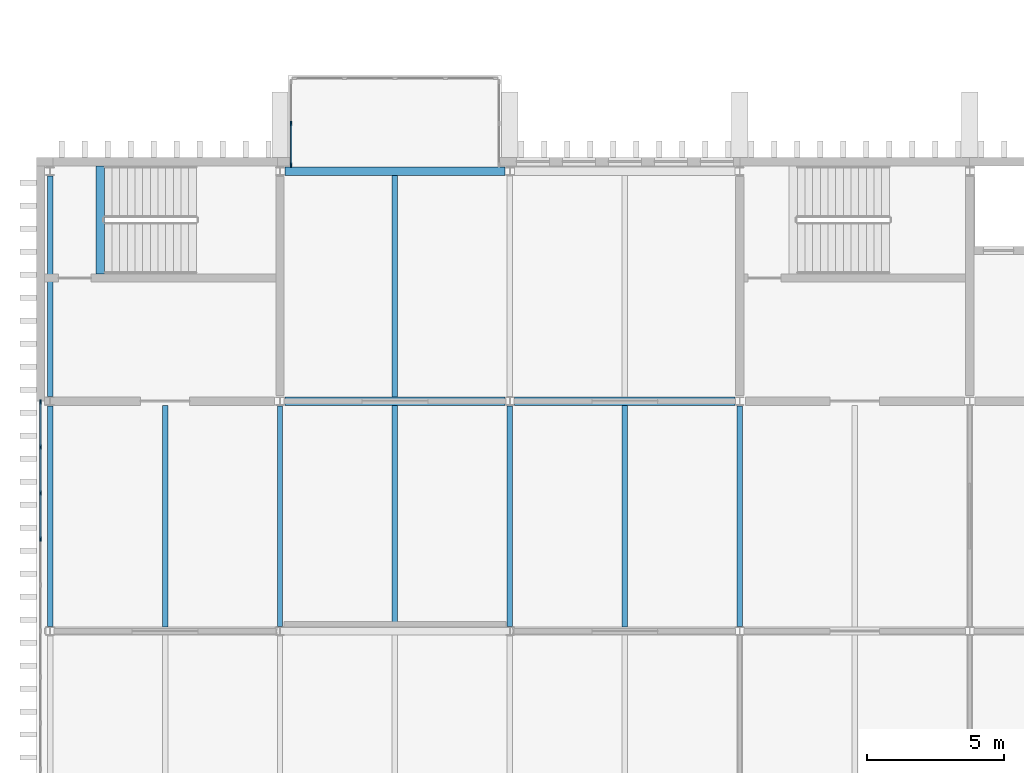
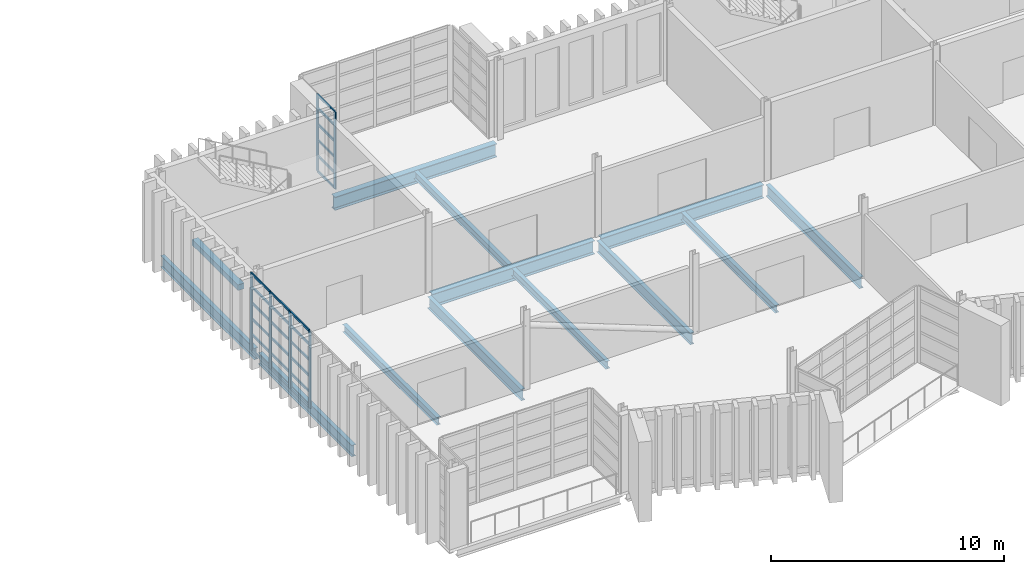
# One storey, part 14 of 100: 30 members, 13 beams, 2 elements without a shape of their own.
"""IFC4 building model written with IfcOpenShell, lengths in metres."""

from ifc_helpers import new_model, si_unit, direction, frame, origin, origin_2d, place, context, subcontext, project, spatial, rectangle, i_section, extrude, material, layer, layer_set, material_profile, profile_set, type_object, element, aggregate, save


model = new_model("IFC4")

# Units and contexts
model_context = context("Model", 3, precision=1e-05, world=origin(), true_north=direction((0.0, 1.0)))
body_context = subcontext(model_context, "Body", "Model", "MODEL_VIEW")
ifc_project = project(units=[si_unit("LENGTHUNIT", "METRE"), si_unit("AREAUNIT", "SQUARE_METRE"), si_unit("VOLUMEUNIT", "CUBIC_METRE"), si_unit("PLANEANGLEUNIT", "RADIAN"), si_unit("MASSUNIT", "GRAM", prefix="KILO")], contexts=[model_context])

# Site, building, storey
site_placement = place(None, origin())
site = spatial("IfcSite", under=ifc_project, at=site_placement, CompositionType="ELEMENT")
building_placement = place(site_placement, origin())
building = spatial("IfcBuilding", under=site, at=building_placement, Name="Cresset Court Congress Hotel", CompositionType="ELEMENT")
storey_placement = place(building_placement, frame((0.0, 0.0, 10.199951171875)))
storey = spatial("IfcBuildingStorey", under=building, at=storey_placement, Name="L02", CompositionType="ELEMENT", Elevation=10.199951171875)

# Curtain wall, members
ifc_material_1 = material(Name="Aluminium frame with double glazing", Category="aluminium")
ifc_layer = layer(ifc_material_1, 0.199951171875)
ifc_layer_set = layer_set([ifc_layer], Name="Glazed box curtain wall 1680 module")
curtain_wall_type = type_object("IfcCurtainWallType", Name="Glazed box curtain wall 1680 module", PredefinedType="NOTDEFINED", material=ifc_layer_set)
curtain_wall_1_placement = place(storey_placement, origin())
curtain_wall_1 = element("IfcCurtainWall", 1, at=curtain_wall_1_placement, inside=storey, type_object=curtain_wall_type, Name="Glazed box N0224 side", PredefinedType="NOTDEFINED")
ifc_material_2 = material(Name="Aluminium", Category="aluminium")
ifc_material_profile_1 = material_profile(ifc_material_2, rectangle(XDim=0.06005859375, YDim=0.159912109375, at=origin_2d()), Name="Box mullion 60x160")
ifc_profile_set_1 = profile_set([ifc_material_profile_1], Name="Aluminium")
member_type_1 = type_object("IfcMemberType", Name="Box mullion 60x160", PredefinedType="MULLION", material=ifc_profile_set_1)
member_1_placement = place(storey_placement, frame((17.199951171875, 25.429931640625, 0.0), z_axis=(0.0, 0.0, 1.0), x_axis=(-1.0, 0.0, 0.0)))
member_1 = element("IfcMember", 2, at=member_1_placement, type_object=member_type_1, Name="B-X1 mullion 1", PredefinedType="MULLION", context=body_context, shape_type="SweptSolid", body=[
    extrude(rectangle(XDim=0.06005859375, YDim=0.159912109375, at=origin_2d()), origin(), (0.0, 0.0, 1.0), 4.050048828125),
])
member_2_placement = place(storey_placement, frame((17.199951171875, 26.949951171875, 0.0), z_axis=(0.0, 0.0, 1.0), x_axis=(-1.0, 0.0, 0.0)))
member_2 = element("IfcMember", 3, at=member_2_placement, type_object=member_type_1, Name="B-X1 mullion 2", PredefinedType="MULLION", context=body_context, shape_type="SweptSolid", body=[
    extrude(rectangle(XDim=0.06005859375, YDim=0.159912109375, at=origin_2d()), origin(), (0.0, 0.0, 1.0), 4.050048828125),
])

curtain_wall_2_placement = place(storey_placement, origin())
curtain_wall_2 = element("IfcCurtainWall", 4, at=curtain_wall_2_placement, inside=storey, type_object=curtain_wall_type, Name="Foyer glazed front L02", PredefinedType="NOTDEFINED")
member_3_placement = place(storey_placement, frame((8.050048828125, 11.760009765625, 0.0), z_axis=(0.0, 0.0, 1.0), x_axis=(-1.0, 0.0, 0.0)))
member_3 = element("IfcMember", 5, at=member_3_placement, type_object=member_type_1, Name="B-X1 mullion 8", PredefinedType="MULLION", context=body_context, shape_type="SweptSolid", body=[
    extrude(rectangle(XDim=0.06005859375, YDim=0.159912109375, at=origin_2d()), origin(), (0.0, 0.0, 1.0), 4.050048828125),
])
member_4_placement = place(storey_placement, frame((8.050048828125, 13.43994140625, 0.0), z_axis=(0.0, 0.0, 1.0), x_axis=(-1.0, 0.0, 0.0)))
member_4 = element("IfcMember", 6, at=member_4_placement, type_object=member_type_1, Name="B-X1 mullion 9", PredefinedType="MULLION", context=body_context, shape_type="SweptSolid", body=[
    extrude(rectangle(XDim=0.06005859375, YDim=0.159912109375, at=origin_2d()), origin(), (0.0, 0.0, 1.0), 4.050048828125),
])
member_5_placement = place(storey_placement, frame((8.050048828125, 15.1201171875, 0.0), z_axis=(0.0, 0.0, 1.0), x_axis=(-1.0, 0.0, 0.0)))
member_5 = element("IfcMember", 7, at=member_5_placement, type_object=member_type_1, Name="B-X1 mullion 10", PredefinedType="MULLION", context=body_context, shape_type="SweptSolid", body=[
    extrude(rectangle(XDim=0.06005859375, YDim=0.159912109375, at=origin_2d()), origin(), (0.0, 0.0, 1.0), 4.050048828125),
])
member_6_placement = place(storey_placement, frame((8.050048828125, 16.77001953125, 0.0), z_axis=(0.0, 0.0, 1.0), x_axis=(-1.0, 0.0, 0.0)))
member_6 = element("IfcMember", 8, at=member_6_placement, type_object=member_type_1, Name="B-X1 mullion 11", PredefinedType="MULLION", context=body_context, shape_type="SweptSolid", body=[
    extrude(rectangle(XDim=0.06005859375, YDim=0.159912109375, at=origin_2d()), origin(), (0.0, 0.0, 1.0), 4.050048828125),
])

# Member
ifc_material_3 = material(Name="Aluminium", Category="aluminium")
ifc_material_profile_2 = material_profile(ifc_material_3, rectangle(XDim=0.06005859375, YDim=0.1201171875, at=origin_2d()), Name="Box transom 60x120")
ifc_profile_set_2 = profile_set([ifc_material_profile_2], Name="Aluminium")
member_type_2 = type_object("IfcMemberType", Name="Box transom 60x120", PredefinedType="USERDEFINED", material=ifc_profile_set_2)
member_7_placement = place(storey_placement, frame((17.199951171875, 25.4599609375, 0.030029296875), z_axis=(0.0, 1.0, 0.0), x_axis=(-1.0, 0.0, 0.0)))
member_7 = element("IfcMember", 9, at=member_7_placement, type_object=member_type_2, Name="B-X1 transom 1.1", ObjectType="TRANSOM", PredefinedType="USERDEFINED", context=body_context, shape_type="SweptSolid", body=[
    extrude(rectangle(XDim=0.06005859375, YDim=0.1201171875, at=origin_2d()), origin(), (0.0, 0.0, 1.0), 1.4599609375),
])

member_8_placement = place(storey_placement, frame((17.199951171875, 25.4599609375, 0.830078125), z_axis=(0.0, 1.0, 0.0), x_axis=(-1.0, 0.0, 0.0)))
member_8 = element("IfcMember", 10, at=member_8_placement, type_object=member_type_2, Name="B-X1 transom 1.2", ObjectType="TRANSOM", PredefinedType="USERDEFINED", context=body_context, shape_type="SweptSolid", body=[
    extrude(rectangle(XDim=0.06005859375, YDim=0.1201171875, at=origin_2d()), origin(), (0.0, 0.0, 1.0), 1.4599609375),
])

member_9_placement = place(storey_placement, frame((17.199951171875, 25.4599609375, 1.66015625), z_axis=(0.0, 1.0, 0.0), x_axis=(-1.0, 0.0, 0.0)))
member_9 = element("IfcMember", 11, at=member_9_placement, type_object=member_type_2, Name="B-X1 transom 1.3", ObjectType="TRANSOM", PredefinedType="USERDEFINED", context=body_context, shape_type="SweptSolid", body=[
    extrude(rectangle(XDim=0.06005859375, YDim=0.1201171875, at=origin_2d()), origin(), (0.0, 0.0, 1.0), 1.4599609375),
])

member_10_placement = place(storey_placement, frame((17.199951171875, 25.4599609375, 2.489990234375), z_axis=(0.0, 1.0, 0.0), x_axis=(-1.0, 0.0, 0.0)))
member_10 = element("IfcMember", 12, at=member_10_placement, type_object=member_type_2, Name="B-X1 transom 1.4", ObjectType="TRANSOM", PredefinedType="USERDEFINED", context=body_context, shape_type="SweptSolid", body=[
    extrude(rectangle(XDim=0.06005859375, YDim=0.1201171875, at=origin_2d()), origin(), (0.0, 0.0, 1.0), 1.4599609375),
])

member_11_placement = place(storey_placement, frame((17.199951171875, 25.4599609375, 3.320068359375), z_axis=(0.0, 1.0, 0.0), x_axis=(-1.0, 0.0, 0.0)))
member_11 = element("IfcMember", 13, at=member_11_placement, type_object=member_type_2, Name="B-X1 transom 1.5", ObjectType="TRANSOM", PredefinedType="USERDEFINED", context=body_context, shape_type="SweptSolid", body=[
    extrude(rectangle(XDim=0.06005859375, YDim=0.1201171875, at=origin_2d()), origin(), (0.0, 0.0, 1.0), 1.4599609375),
])

member_12_placement = place(storey_placement, frame((17.199951171875, 25.4599609375, 4.02001953125), z_axis=(0.0, 1.0, 0.0), x_axis=(-1.0, 0.0, 0.0)))
member_12 = element("IfcMember", 14, at=member_12_placement, type_object=member_type_2, Name="B-X1 transom 1.6", ObjectType="TRANSOM", PredefinedType="USERDEFINED", context=body_context, shape_type="SweptSolid", body=[
    extrude(rectangle(XDim=0.06005859375, YDim=0.1201171875, at=origin_2d()), origin(), (0.0, 0.0, 1.0), 1.4599609375),
])

aggregate(curtain_wall_1, [member_1, member_2, member_7, member_8, member_9, member_10, member_11, member_12])

member_13_placement = place(storey_placement, frame((8.050048828125, 11.7900390625, 0.030029296875), z_axis=(0.0, 1.0, 0.0), x_axis=(-1.0, 0.0, 0.0)))
member_13 = element("IfcMember", 15, at=member_13_placement, type_object=member_type_2, Name="B-X1 transom 8.1", ObjectType="TRANSOM", PredefinedType="USERDEFINED", context=body_context, shape_type="SweptSolid", body=[
    extrude(rectangle(XDim=0.06005859375, YDim=0.1201171875, at=origin_2d()), origin(), (0.0, 0.0, 1.0), 1.619873046875),
])

member_14_placement = place(storey_placement, frame((8.050048828125, 11.7900390625, 0.830078125), z_axis=(0.0, 1.0, 0.0), x_axis=(-1.0, 0.0, 0.0)))
member_14 = element("IfcMember", 16, at=member_14_placement, type_object=member_type_2, Name="B-X1 transom 8.2", ObjectType="TRANSOM", PredefinedType="USERDEFINED", context=body_context, shape_type="SweptSolid", body=[
    extrude(rectangle(XDim=0.06005859375, YDim=0.1201171875, at=origin_2d()), origin(), (0.0, 0.0, 1.0), 1.619873046875),
])

member_15_placement = place(storey_placement, frame((8.050048828125, 11.7900390625, 1.66015625), z_axis=(0.0, 1.0, 0.0), x_axis=(-1.0, 0.0, 0.0)))
member_15 = element("IfcMember", 17, at=member_15_placement, type_object=member_type_2, Name="B-X1 transom 8.3", ObjectType="TRANSOM", PredefinedType="USERDEFINED", context=body_context, shape_type="SweptSolid", body=[
    extrude(rectangle(XDim=0.06005859375, YDim=0.1201171875, at=origin_2d()), origin(), (0.0, 0.0, 1.0), 1.619873046875),
])

member_16_placement = place(storey_placement, frame((8.050048828125, 11.7900390625, 2.489990234375), z_axis=(0.0, 1.0, 0.0), x_axis=(-1.0, 0.0, 0.0)))
member_16 = element("IfcMember", 18, at=member_16_placement, type_object=member_type_2, Name="B-X1 transom 8.4", ObjectType="TRANSOM", PredefinedType="USERDEFINED", context=body_context, shape_type="SweptSolid", body=[
    extrude(rectangle(XDim=0.06005859375, YDim=0.1201171875, at=origin_2d()), origin(), (0.0, 0.0, 1.0), 1.619873046875),
])

member_17_placement = place(storey_placement, frame((8.050048828125, 11.7900390625, 3.320068359375), z_axis=(0.0, 1.0, 0.0), x_axis=(-1.0, 0.0, 0.0)))
member_17 = element("IfcMember", 19, at=member_17_placement, type_object=member_type_2, Name="B-X1 transom 8.5", ObjectType="TRANSOM", PredefinedType="USERDEFINED", context=body_context, shape_type="SweptSolid", body=[
    extrude(rectangle(XDim=0.06005859375, YDim=0.1201171875, at=origin_2d()), origin(), (0.0, 0.0, 1.0), 1.619873046875),
])

member_18_placement = place(storey_placement, frame((8.050048828125, 11.7900390625, 4.02001953125), z_axis=(0.0, 1.0, 0.0), x_axis=(-1.0, 0.0, 0.0)))
member_18 = element("IfcMember", 20, at=member_18_placement, type_object=member_type_2, Name="B-X1 transom 8.6", ObjectType="TRANSOM", PredefinedType="USERDEFINED", context=body_context, shape_type="SweptSolid", body=[
    extrude(rectangle(XDim=0.06005859375, YDim=0.1201171875, at=origin_2d()), origin(), (0.0, 0.0, 1.0), 1.619873046875),
])

member_19_placement = place(storey_placement, frame((8.050048828125, 13.469970703125, 0.030029296875), z_axis=(0.0, 1.0, 0.0), x_axis=(-1.0, 0.0, 0.0)))
member_19 = element("IfcMember", 21, at=member_19_placement, type_object=member_type_2, Name="B-X1 transom 9.1", ObjectType="TRANSOM", PredefinedType="USERDEFINED", context=body_context, shape_type="SweptSolid", body=[
    extrude(rectangle(XDim=0.06005859375, YDim=0.1201171875, at=origin_2d()), origin(), (0.0, 0.0, 1.0), 1.6201171875),
])

member_20_placement = place(storey_placement, frame((8.050048828125, 13.469970703125, 0.830078125), z_axis=(0.0, 1.0, 0.0), x_axis=(-1.0, 0.0, 0.0)))
member_20 = element("IfcMember", 22, at=member_20_placement, type_object=member_type_2, Name="B-X1 transom 9.2", ObjectType="TRANSOM", PredefinedType="USERDEFINED", context=body_context, shape_type="SweptSolid", body=[
    extrude(rectangle(XDim=0.06005859375, YDim=0.1201171875, at=origin_2d()), origin(), (0.0, 0.0, 1.0), 1.6201171875),
])

member_21_placement = place(storey_placement, frame((8.050048828125, 13.469970703125, 1.66015625), z_axis=(0.0, 1.0, 0.0), x_axis=(-1.0, 0.0, 0.0)))
member_21 = element("IfcMember", 23, at=member_21_placement, type_object=member_type_2, Name="B-X1 transom 9.3", ObjectType="TRANSOM", PredefinedType="USERDEFINED", context=body_context, shape_type="SweptSolid", body=[
    extrude(rectangle(XDim=0.06005859375, YDim=0.1201171875, at=origin_2d()), origin(), (0.0, 0.0, 1.0), 1.6201171875),
])

member_22_placement = place(storey_placement, frame((8.050048828125, 13.469970703125, 2.489990234375), z_axis=(0.0, 1.0, 0.0), x_axis=(-1.0, 0.0, 0.0)))
member_22 = element("IfcMember", 24, at=member_22_placement, type_object=member_type_2, Name="B-X1 transom 9.4", ObjectType="TRANSOM", PredefinedType="USERDEFINED", context=body_context, shape_type="SweptSolid", body=[
    extrude(rectangle(XDim=0.06005859375, YDim=0.1201171875, at=origin_2d()), origin(), (0.0, 0.0, 1.0), 1.6201171875),
])

member_23_placement = place(storey_placement, frame((8.050048828125, 13.469970703125, 3.320068359375), z_axis=(0.0, 1.0, 0.0), x_axis=(-1.0, 0.0, 0.0)))
member_23 = element("IfcMember", 25, at=member_23_placement, type_object=member_type_2, Name="B-X1 transom 9.5", ObjectType="TRANSOM", PredefinedType="USERDEFINED", context=body_context, shape_type="SweptSolid", body=[
    extrude(rectangle(XDim=0.06005859375, YDim=0.1201171875, at=origin_2d()), origin(), (0.0, 0.0, 1.0), 1.6201171875),
])

member_24_placement = place(storey_placement, frame((8.050048828125, 13.469970703125, 4.02001953125), z_axis=(0.0, 1.0, 0.0), x_axis=(-1.0, 0.0, 0.0)))
member_24 = element("IfcMember", 26, at=member_24_placement, type_object=member_type_2, Name="B-X1 transom 9.6", ObjectType="TRANSOM", PredefinedType="USERDEFINED", context=body_context, shape_type="SweptSolid", body=[
    extrude(rectangle(XDim=0.06005859375, YDim=0.1201171875, at=origin_2d()), origin(), (0.0, 0.0, 1.0), 1.6201171875),
])

member_25_placement = place(storey_placement, frame((8.050048828125, 15.14990234375, 0.030029296875), z_axis=(0.0, 1.0, 0.0), x_axis=(-1.0, 0.0, 0.0)))
member_25 = element("IfcMember", 27, at=member_25_placement, type_object=member_type_2, Name="B-X1 transom 10.1", ObjectType="TRANSOM", PredefinedType="USERDEFINED", context=body_context, shape_type="SweptSolid", body=[
    extrude(rectangle(XDim=0.06005859375, YDim=0.1201171875, at=origin_2d()), origin(), (0.0, 0.0, 1.0), 1.590087890625),
])

member_26_placement = place(storey_placement, frame((8.050048828125, 15.14990234375, 0.830078125), z_axis=(0.0, 1.0, 0.0), x_axis=(-1.0, 0.0, 0.0)))
member_26 = element("IfcMember", 28, at=member_26_placement, type_object=member_type_2, Name="B-X1 transom 10.2", ObjectType="TRANSOM", PredefinedType="USERDEFINED", context=body_context, shape_type="SweptSolid", body=[
    extrude(rectangle(XDim=0.06005859375, YDim=0.1201171875, at=origin_2d()), origin(), (0.0, 0.0, 1.0), 1.590087890625),
])

member_27_placement = place(storey_placement, frame((8.050048828125, 15.14990234375, 1.66015625), z_axis=(0.0, 1.0, 0.0), x_axis=(-1.0, 0.0, 0.0)))
member_27 = element("IfcMember", 29, at=member_27_placement, type_object=member_type_2, Name="B-X1 transom 10.3", ObjectType="TRANSOM", PredefinedType="USERDEFINED", context=body_context, shape_type="SweptSolid", body=[
    extrude(rectangle(XDim=0.06005859375, YDim=0.1201171875, at=origin_2d()), origin(), (0.0, 0.0, 1.0), 1.590087890625),
])

member_28_placement = place(storey_placement, frame((8.050048828125, 15.14990234375, 2.489990234375), z_axis=(0.0, 1.0, 0.0), x_axis=(-1.0, 0.0, 0.0)))
member_28 = element("IfcMember", 30, at=member_28_placement, type_object=member_type_2, Name="B-X1 transom 10.4", ObjectType="TRANSOM", PredefinedType="USERDEFINED", context=body_context, shape_type="SweptSolid", body=[
    extrude(rectangle(XDim=0.06005859375, YDim=0.1201171875, at=origin_2d()), origin(), (0.0, 0.0, 1.0), 1.590087890625),
])

member_29_placement = place(storey_placement, frame((8.050048828125, 15.14990234375, 3.320068359375), z_axis=(0.0, 1.0, 0.0), x_axis=(-1.0, 0.0, 0.0)))
member_29 = element("IfcMember", 31, at=member_29_placement, type_object=member_type_2, Name="B-X1 transom 10.5", ObjectType="TRANSOM", PredefinedType="USERDEFINED", context=body_context, shape_type="SweptSolid", body=[
    extrude(rectangle(XDim=0.06005859375, YDim=0.1201171875, at=origin_2d()), origin(), (0.0, 0.0, 1.0), 1.590087890625),
])

member_30_placement = place(storey_placement, frame((8.050048828125, 15.14990234375, 4.02001953125), z_axis=(0.0, 1.0, 0.0), x_axis=(-1.0, 0.0, 0.0)))
member_30 = element("IfcMember", 32, at=member_30_placement, type_object=member_type_2, Name="B-X1 transom 10.6", ObjectType="TRANSOM", PredefinedType="USERDEFINED", context=body_context, shape_type="SweptSolid", body=[
    extrude(rectangle(XDim=0.06005859375, YDim=0.1201171875, at=origin_2d()), origin(), (0.0, 0.0, 1.0), 1.590087890625),
])

aggregate(curtain_wall_2, [member_3, member_4, member_5, member_6, member_13, member_14, member_15, member_16, member_17, member_18, member_19, member_20, member_21, member_22, member_23, member_24, member_25, member_26, member_27, member_28, member_29, member_30])

# Beams
ifc_material_4 = material(Name="Concrete C40", Category="concrete")
ifc_material_profile_3 = material_profile(ifc_material_4, rectangle(XDim=0.300048828125, YDim=0.300048828125, at=origin_2d()), Name="RC300x300")
ifc_profile_set_3 = profile_set([ifc_material_profile_3], Name="Concrete C40")
beam_type_1 = type_object("IfcBeamType", Name="Stair trimmer beam RC300x300", PredefinedType="BEAM", material=ifc_profile_set_3)
beam_1_placement = place(storey_placement, frame((10.22998046875, 21.449951171875, -0.300048828125), z_axis=(0.0, 1.0, 0.0), x_axis=(-1.0, 0.0, 0.0)))
element("IfcBeam", 33, at=beam_1_placement, inside=storey, type_object=beam_type_1, Name="Trimmer beam ST-B1 L02", PredefinedType="BEAM", context=body_context, shape_type="SweptSolid", body=[
    extrude(rectangle(XDim=0.300048828125, YDim=0.300048828125, at=origin_2d()), origin(), (0.0, 0.0, 1.0), 3.949951171875),
])
ifc_material_5 = material(Name="Structural steel Q355B", Category="steel")
ifc_material_profile_4 = material_profile(ifc_material_5, i_section(OverallWidth=0.199951171875, OverallDepth=0.60009765625, WebThickness=0.010986328125, FlangeThickness=0.01708984375, FilletRadius=0.012939453125, at=origin_2d()), Name="HN600x200x11x17")
ifc_profile_set_4 = profile_set([ifc_material_profile_4], Name="Structural steel Q355B")
beam_type_2 = type_object("IfcBeamType", Name="Steel beam HN600x200x11x17", PredefinedType="BEAM", material=ifc_profile_set_4)
beam_2_placement = place(storey_placement, frame((8.39990234375, 8.574951171875, -0.449951171875), z_axis=(0.0, 1.0, 0.0), x_axis=(-1.0, 0.0, 0.0)))
element("IfcBeam", 34, at=beam_2_placement, inside=storey, type_object=beam_type_2, Name="B.by.L02.02B", PredefinedType="BEAM", context=body_context, shape_type="SweptSolid", body=[
    extrude(i_section(OverallWidth=0.199951171875, OverallDepth=0.60009765625, WebThickness=0.010986328125, FlangeThickness=0.01708984375, FilletRadius=0.012939453125, at=origin_2d()), origin(), (0.0, 0.0, 1.0), 8.050048828125),
])
beam_3_placement = place(storey_placement, frame((8.39990234375, 16.97509765625, -0.449951171875), z_axis=(0.0, 1.0, 0.0), x_axis=(-1.0, 0.0, 0.0)))
element("IfcBeam", 35, at=beam_3_placement, inside=storey, type_object=beam_type_2, Name="B.by.L02.02C", PredefinedType="BEAM", context=body_context, shape_type="SweptSolid", body=[
    extrude(i_section(OverallWidth=0.199951171875, OverallDepth=0.60009765625, WebThickness=0.010986328125, FlangeThickness=0.01708984375, FilletRadius=0.012939453125, at=origin_2d()), origin(), (0.0, 0.0, 1.0), 8.0498046875),
])
for number, where, z_axis, x_axis, name in (
    (36, (16.800048828125, 8.574951171875, -0.449951171875), (0.0, 1.0, 0.0), (-1.0, 0.0, 0.0), "B.by.L02.03B"),
    (37, (25.199951171875, 8.574951171875, -0.449951171875), (0.0, 1.0, 0.0), (-1.0, 0.0, 0.0), "B.by.L02.04B"),
    (38, (33.60009765625, 8.574951171875, -0.449951171875), (0.0, 1.0, 0.0), (-1.0, 0.0, 0.0), "B.by.L02.05B"),
):
    element("IfcBeam", number, at=place(storey_placement, frame(where, z_axis=z_axis, x_axis=x_axis)), inside=storey, type_object=beam_type_2, Name=name, PredefinedType="BEAM", context=body_context, shape_type="SweptSolid", body=[
        extrude(i_section(OverallWidth=0.199951171875, OverallDepth=0.60009765625, WebThickness=0.010986328125, FlangeThickness=0.01708984375, FilletRadius=0.012939453125, at=origin_2d()), origin(), (0.0, 0.0, 1.0), 8.050048828125),
    ])
ifc_material_6 = material(Name="Structural steel Q355B", Category="steel")
ifc_material_profile_5 = material_profile(ifc_material_6, i_section(OverallWidth=0.300048828125, OverallDepth=0.699951171875, WebThickness=0.012939453125, FlangeThickness=0.02392578125, FilletRadius=0.01806640625, at=origin_2d()), Name="HN700x300x13x24")
ifc_profile_set_5 = profile_set([ifc_material_profile_5], Name="Structural steel Q355B")
beam_type_3 = type_object("IfcBeamType", Name="Steel beam HN700x300x13x24", PredefinedType="BEAM", material=ifc_profile_set_5)
beam_4_placement = place(storey_placement, frame((16.97509765625, 16.800048828125, -0.5), z_axis=(1.0, 0.0, 0.0), x_axis=(0.0, 1.0, 0.0)))
element("IfcBeam", 39, at=beam_4_placement, inside=storey, type_object=beam_type_3, Name="B.bx.L02.C03", PredefinedType="BEAM", context=body_context, shape_type="SweptSolid", body=[
    extrude(i_section(OverallWidth=0.300048828125, OverallDepth=0.699951171875, WebThickness=0.012939453125, FlangeThickness=0.02392578125, FilletRadius=0.01806640625, at=origin_2d()), origin(), (0.0, 0.0, 1.0), 8.0498046875),
])
beam_5_placement = place(storey_placement, frame((25.375, 16.800048828125, -0.5), z_axis=(1.0, 0.0, 0.0), x_axis=(0.0, 1.0, 0.0)))
element("IfcBeam", 40, at=beam_5_placement, inside=storey, type_object=beam_type_3, Name="B.bx.L02.C04", PredefinedType="BEAM", context=body_context, shape_type="SweptSolid", body=[
    extrude(i_section(OverallWidth=0.300048828125, OverallDepth=0.699951171875, WebThickness=0.012939453125, FlangeThickness=0.02392578125, FilletRadius=0.01806640625, at=origin_2d()), origin(), (0.0, 0.0, 1.0), 8.050048828125),
])
beam_6_placement = place(storey_placement, frame((16.97509765625, 25.199951171875, -0.5), z_axis=(1.0, 0.0, 0.0), x_axis=(0.0, 1.0, 0.0)))
element("IfcBeam", 41, at=beam_6_placement, inside=storey, type_object=beam_type_3, Name="B.bx.L02.D03", PredefinedType="BEAM", context=body_context, shape_type="SweptSolid", body=[
    extrude(i_section(OverallWidth=0.300048828125, OverallDepth=0.699951171875, WebThickness=0.012939453125, FlangeThickness=0.02392578125, FilletRadius=0.01806640625, at=origin_2d()), origin(), (0.0, 0.0, 1.0), 8.0498046875),
])
ifc_material_7 = material(Name="Structural steel Q355B", Category="steel")
ifc_material_profile_6 = material_profile(ifc_material_7, i_section(OverallWidth=0.199951171875, OverallDepth=0.39990234375, WebThickness=0.008056640625, FlangeThickness=0.012939453125, FilletRadius=0.01611328125, at=origin_2d()), Name="HN400x200x8x13")
ifc_profile_set_6 = profile_set([ifc_material_profile_6], Name="Structural steel Q355B")
beam_type_4 = type_object("IfcBeamType", Name="Steel joist HN400x200x8x13", PredefinedType="JOIST", material=ifc_profile_set_6)
for number, where, z_axis, x_axis, name in (
    (42, (12.60009765625, 8.550048828125, -0.349853515625), (0.0, 1.0, 0.0), (-1.0, 0.0, 0.0), "B.bj.L02.02B"),
    (43, (21.0, 8.550048828125, -0.349853515625), (0.0, 1.0, 0.0), (-1.0, 0.0, 0.0), "B.bj.L02.03B"),
):
    element("IfcBeam", number, at=place(storey_placement, frame(where, z_axis=z_axis, x_axis=x_axis)), inside=storey, type_object=beam_type_4, Name=name, PredefinedType="JOIST", context=body_context, shape_type="SweptSolid", body=[
        extrude(i_section(OverallWidth=0.199951171875, OverallDepth=0.39990234375, WebThickness=0.008056640625, FlangeThickness=0.012939453125, FilletRadius=0.01611328125, at=origin_2d()), origin(), (0.0, 0.0, 1.0), 8.099853515625),
    ])
beam_7_placement = place(storey_placement, frame((21.0, 16.949951171875, -0.349853515625), z_axis=(0.0, 1.0, 0.0), x_axis=(-1.0, 0.0, 0.0)))
element("IfcBeam", 44, at=beam_7_placement, inside=storey, type_object=beam_type_4, Name="B.bj.L02.03C", PredefinedType="JOIST", context=body_context, shape_type="SweptSolid", body=[
    extrude(i_section(OverallWidth=0.199951171875, OverallDepth=0.39990234375, WebThickness=0.008056640625, FlangeThickness=0.012939453125, FilletRadius=0.01611328125, at=origin_2d()), origin(), (0.0, 0.0, 1.0), 8.10009765625),
])
beam_8_placement = place(storey_placement, frame((29.39990234375, 8.550048828125, -0.349853515625), z_axis=(0.0, 1.0, 0.0), x_axis=(-1.0, 0.0, 0.0)))
element("IfcBeam", 45, at=beam_8_placement, inside=storey, type_object=beam_type_4, Name="B.bj.L02.04B", PredefinedType="JOIST", context=body_context, shape_type="SweptSolid", body=[
    extrude(i_section(OverallWidth=0.199951171875, OverallDepth=0.39990234375, WebThickness=0.008056640625, FlangeThickness=0.012939453125, FilletRadius=0.01611328125, at=origin_2d()), origin(), (0.0, 0.0, 1.0), 8.099853515625),
])

save(model, "model.ifc")
